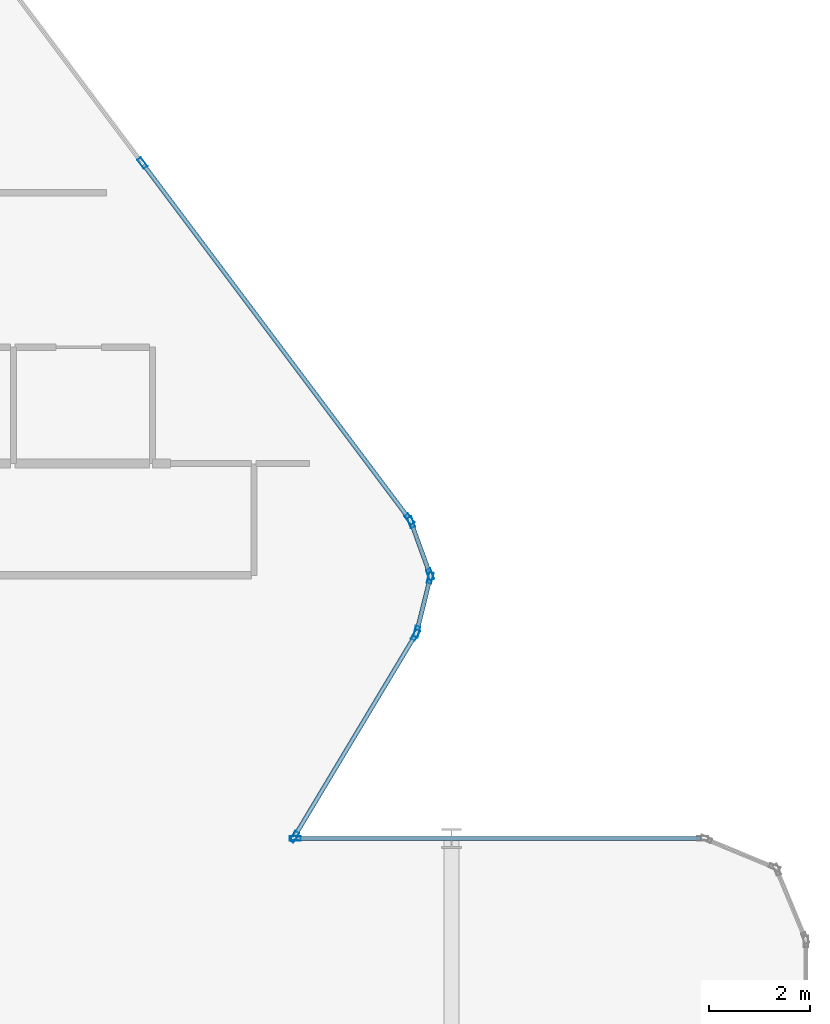
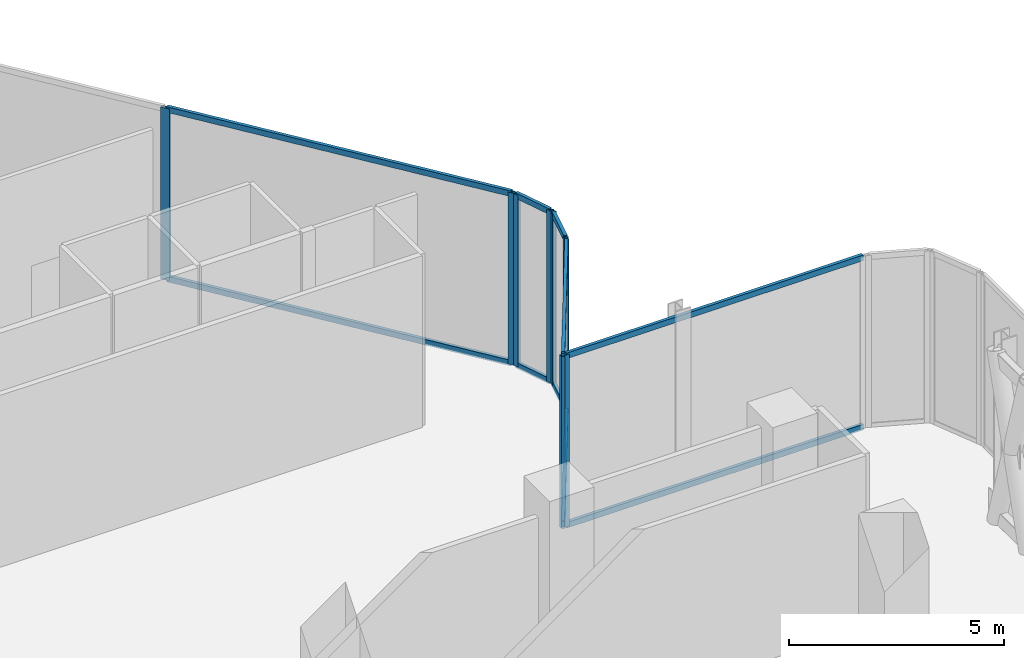
# One storey, part 16 of 36: 19 members, 5 elements without a shape of their own.
"""IFC4 building model written with IfcOpenShell, lengths in metres."""

from ifc_helpers import new_model, si_unit, direction, frame, origin, origin_2d, place, context, subcontext, project, spatial, hollow_rectangle, extrude, material, layer, layer_set, material_profile, profile_set, type_object, element, aggregate, save


model = new_model("IFC4")

# Units and contexts
model_context = context("Model", 3, precision=1e-05, world=origin(), true_north=direction((0.0, 1.0)))
body_context = subcontext(model_context, "Body", "Model", "MODEL_VIEW")
ifc_project = project(units=[si_unit("LENGTHUNIT", "METRE"), si_unit("AREAUNIT", "SQUARE_METRE"), si_unit("VOLUMEUNIT", "CUBIC_METRE"), si_unit("PLANEANGLEUNIT", "RADIAN"), si_unit("MASSUNIT", "GRAM", prefix="KILO")], contexts=[model_context])

# Site, building, storey
site_placement = place(None, origin())
site = spatial("IfcSite", under=ifc_project, at=site_placement, CompositionType="ELEMENT")
building_placement = place(site_placement, origin())
building = spatial("IfcBuilding", under=site, at=building_placement, Name="Keshet Zoharim Tower", CompositionType="ELEMENT")
storey_placement = place(building_placement, frame((0.0, 0.0, 81.199951171875)))
storey = spatial("IfcBuildingStorey", under=building, at=storey_placement, Name="L19", CompositionType="ELEMENT", Elevation=81.199951171875)

# Curtain wall, members
ifc_material = material(Name="Aluminium 6063-T6", Category="aluminium")
ifc_layer_1 = layer(ifc_material, 0.169921875)
ifc_layer_set_1 = layer_set([ifc_layer_1], Name="Aluminium 6063-T6")
curtain_wall_type_1 = type_object("IfcCurtainWallType", Name="CW-SYS-02", PredefinedType="NOTDEFINED", material=ifc_layer_set_1)
curtain_wall_1_placement = place(storey_placement, origin())
curtain_wall_1 = element("IfcCurtainWall", 1, at=curtain_wall_1_placement, inside=storey, type_object=curtain_wall_type_1, Name="L19 Unitised Curtain Wall 09", PredefinedType="NOTDEFINED")
ifc_material_profile_1 = material_profile(ifc_material, hollow_rectangle(XDim=0.090087890625, YDim=0.219970703125, WallThickness=0.0048828125, at=origin_2d()), Name="MUL-90x220")
ifc_profile_set_1 = profile_set([ifc_material_profile_1], Name="Aluminium 6063-T6")
member_type_1 = type_object("IfcMemberType", Name="CWM-M22", PredefinedType="MULLION", material=ifc_profile_set_1)
member_1_placement = place(storey_placement, frame((56.896484375, 46.0380859375, 0.0), z_axis=(0.0, 0.0, 1.0), x_axis=(0.799999999998, 0.600000000002, 0.0)))
member_1 = element("IfcMember", 2, at=member_1_placement, type_object=member_type_1, Name="CW-02 mullion 2", PredefinedType="MULLION", context=body_context, shape_type="SweptSolid", body=[
    extrude(hollow_rectangle(XDim=0.090087890625, YDim=0.219970703125, WallThickness=0.0048828125, at=origin_2d()), origin(), (0.0, 0.0, 1.0), 4.885009765625),
])
member_2_placement = place(storey_placement, frame((62.172119140625, 39.00390625, 0.0), z_axis=(0.0, 0.0, 1.0), x_axis=(0.799999999998, 0.600000000002, 0.0)))
member_2 = element("IfcMember", 3, at=member_2_placement, type_object=member_type_1, Name="CW-02 mullion 3", PredefinedType="MULLION", context=body_context, shape_type="SweptSolid", body=[
    extrude(hollow_rectangle(XDim=0.090087890625, YDim=0.219970703125, WallThickness=0.0048828125, at=origin_2d()), origin(), (0.0, 0.0, 1.0), 4.885009765625),
])

curtain_wall_2_placement = place(storey_placement, origin())
curtain_wall_2 = element("IfcCurtainWall", 4, at=curtain_wall_2_placement, inside=storey, type_object=curtain_wall_type_1, Name="L19 Unitised Curtain Wall 10", PredefinedType="NOTDEFINED")
member_3_placement = place(storey_placement, frame((62.204833984375, 38.943115234375, 0.0), z_axis=(0.0, 0.0, 1.0), x_axis=(0.940317877544, 0.340297354046, 0.0)))
member_3 = element("IfcMember", 5, at=member_3_placement, type_object=member_type_1, Name="CW-02 mullion 1", PredefinedType="MULLION", context=body_context, shape_type="SweptSolid", body=[
    extrude(hollow_rectangle(XDim=0.090087890625, YDim=0.219970703125, WallThickness=0.0048828125, at=origin_2d()), origin(), (0.0, 0.0, 1.0), 4.885009765625),
])
member_4_placement = place(storey_placement, frame((62.578125, 37.911865234375, 0.0), z_axis=(0.0, 0.0, 1.0), x_axis=(0.940317877544, 0.340297354046, 0.0)))
member_4 = element("IfcMember", 6, at=member_4_placement, type_object=member_type_1, Name="CW-02 mullion 2", PredefinedType="MULLION", context=body_context, shape_type="SweptSolid", body=[
    extrude(hollow_rectangle(XDim=0.090087890625, YDim=0.219970703125, WallThickness=0.0048828125, at=origin_2d()), origin(), (0.0, 0.0, 1.0), 4.885009765625),
])

curtain_wall_3_placement = place(storey_placement, origin())
curtain_wall_3 = element("IfcCurtainWall", 7, at=curtain_wall_3_placement, inside=storey, type_object=curtain_wall_type_1, Name="L19 Unitised Curtain Wall 11", PredefinedType="NOTDEFINED")
member_5_placement = place(storey_placement, frame((62.58154296875, 37.844970703125, 0.0), z_axis=(0.0, 0.0, 1.0), x_axis=(0.970343857447, -0.241728770141, 0.0)))
member_5 = element("IfcMember", 8, at=member_5_placement, type_object=member_type_1, Name="CW-02 mullion 1", PredefinedType="MULLION", context=body_context, shape_type="SweptSolid", body=[
    extrude(hollow_rectangle(XDim=0.090087890625, YDim=0.219970703125, WallThickness=0.0048828125, at=origin_2d()), origin(), (0.0, 0.0, 1.0), 4.885009765625),
])
member_6_placement = place(storey_placement, frame((62.31640625, 36.781005859375, 0.0), z_axis=(0.0, 0.0, 1.0), x_axis=(0.970343857447, -0.241728770141, 0.0)))
member_6 = element("IfcMember", 9, at=member_6_placement, type_object=member_type_1, Name="CW-02 mullion 2", PredefinedType="MULLION", context=body_context, shape_type="SweptSolid", body=[
    extrude(hollow_rectangle(XDim=0.090087890625, YDim=0.219970703125, WallThickness=0.0048828125, at=origin_2d()), origin(), (0.0, 0.0, 1.0), 4.885009765625),
])

ifc_layer_2 = layer(ifc_material, 0.179931640625)
ifc_layer_set_2 = layer_set([ifc_layer_2], Name="Aluminium 6063-T6")
curtain_wall_type_2 = type_object("IfcCurtainWallType", Name="CW-SYS-01", PredefinedType="NOTDEFINED", material=ifc_layer_set_2)
curtain_wall_4_placement = place(storey_placement, origin())
curtain_wall_4 = element("IfcCurtainWall", 10, at=curtain_wall_4_placement, inside=storey, type_object=curtain_wall_type_2, Name="L19 Unitised Curtain Wall 12", PredefinedType="NOTDEFINED")
member_7_placement = place(storey_placement, frame((62.2900390625, 36.717041015625, 0.0), z_axis=(0.0, 0.0, 1.0), x_axis=(0.857511621163, -0.51446459506, 0.0)))
member_7 = element("IfcMember", 11, at=member_7_placement, type_object=member_type_1, Name="CW-01 mullion 1", PredefinedType="MULLION", context=body_context, shape_type="SweptSolid", body=[
    extrude(hollow_rectangle(XDim=0.090087890625, YDim=0.219970703125, WallThickness=0.0048828125, at=origin_2d()), origin(), (0.0, 0.0, 1.0), 4.885009765625),
])
member_8_placement = place(storey_placement, frame((59.89794921875, 32.72998046875, 0.0), z_axis=(0.0, 0.0, 1.0), x_axis=(0.857511621163, -0.51446459506, 0.0)))
member_8 = element("IfcMember", 12, at=member_8_placement, type_object=member_type_1, Name="CW-01 mullion 2", PredefinedType="MULLION", context=body_context, shape_type="SweptSolid", body=[
    extrude(hollow_rectangle(XDim=0.090087890625, YDim=0.219970703125, WallThickness=0.0048828125, at=origin_2d()), origin(), (0.0, 0.0, 1.0), 4.885009765625),
])

# Curtain wall, member
curtain_wall_5_placement = place(storey_placement, origin())
curtain_wall_5 = element("IfcCurtainWall", 13, at=curtain_wall_5_placement, inside=storey, type_object=curtain_wall_type_1, Name="L19 Unitised Curtain Wall 13", PredefinedType="NOTDEFINED")
member_9_placement = place(storey_placement, frame((59.9150390625, 32.699951171875, 0.0), z_axis=(0.0, 0.0, 1.0), x_axis=(0.0, 1.0, 0.0)))
member_9 = element("IfcMember", 14, at=member_9_placement, type_object=member_type_1, Name="CW-02 mullion 1", PredefinedType="MULLION", context=body_context, shape_type="SweptSolid", body=[
    extrude(hollow_rectangle(XDim=0.090087890625, YDim=0.219970703125, WallThickness=0.0048828125, at=origin_2d()), origin(), (0.0, 0.0, 1.0), 4.885009765625),
])

# Member
ifc_material_profile_2 = material_profile(ifc_material, hollow_rectangle(XDim=0.0849609375, YDim=0.159912109375, WallThickness=0.00439453125, at=origin_2d()), Name="TRN-85x160")
ifc_profile_set_2 = profile_set([ifc_material_profile_2], Name="Aluminium 6063-T6")
member_type_2 = type_object("IfcMemberType", Name="CWT-T16", PredefinedType="USERDEFINED", material=ifc_profile_set_2)
member_10_placement = place(storey_placement, frame((56.91748046875, 46.010009765625, 0.03515625), z_axis=(0.599991043201, -0.800006717521, 0.0), x_axis=(0.800006717521, 0.599991043201, 0.0)))
member_10 = element("IfcMember", 15, at=member_10_placement, type_object=member_type_2, Name="CW-02 transom 2.1", ObjectType="TRANSOM", PredefinedType="USERDEFINED", context=body_context, shape_type="SweptSolid", body=[
    extrude(hollow_rectangle(XDim=0.0849609375, YDim=0.159912109375, WallThickness=0.00439453125, at=origin_2d()), origin(), (0.0, 0.0, 1.0), 8.722412109375),
])

member_11_placement = place(storey_placement, frame((56.91748046875, 46.010009765625, 4.85009765625), z_axis=(0.599991043201, -0.800006717521, 0.0), x_axis=(0.800006717521, 0.599991043201, 0.0)))
member_11 = element("IfcMember", 16, at=member_11_placement, type_object=member_type_2, Name="CW-02 transom 2.2", ObjectType="TRANSOM", PredefinedType="USERDEFINED", context=body_context, shape_type="SweptSolid", body=[
    extrude(hollow_rectangle(XDim=0.0849609375, YDim=0.159912109375, WallThickness=0.00439453125, at=origin_2d()), origin(), (0.0, 0.0, 1.0), 8.722412109375),
])

aggregate(curtain_wall_1, [member_1, member_2, member_10, member_11])

member_12_placement = place(storey_placement, frame((62.216796875, 38.91015625, 0.03515625), z_axis=(0.340310579984, -0.940313091024, 0.0), x_axis=(0.940313091024, 0.340310579984, 0.0)))
member_12 = element("IfcMember", 17, at=member_12_placement, type_object=member_type_2, Name="CW-02 transom 1.1", ObjectType="TRANSOM", PredefinedType="USERDEFINED", context=body_context, shape_type="SweptSolid", body=[
    extrude(hollow_rectangle(XDim=0.0849609375, YDim=0.159912109375, WallThickness=0.00439453125, at=origin_2d()), origin(), (0.0, 0.0, 1.0), 1.026611328125),
])

member_13_placement = place(storey_placement, frame((62.216796875, 38.91015625, 4.85009765625), z_axis=(0.340310579984, -0.940313091024, 0.0), x_axis=(0.940313091024, 0.340310579984, 0.0)))
member_13 = element("IfcMember", 18, at=member_13_placement, type_object=member_type_2, Name="CW-02 transom 1.2", ObjectType="TRANSOM", PredefinedType="USERDEFINED", context=body_context, shape_type="SweptSolid", body=[
    extrude(hollow_rectangle(XDim=0.0849609375, YDim=0.159912109375, WallThickness=0.00439453125, at=origin_2d()), origin(), (0.0, 0.0, 1.0), 1.026611328125),
])

aggregate(curtain_wall_2, [member_3, member_4, member_12, member_13])

member_14_placement = place(storey_placement, frame((62.572998046875, 37.81103515625, 0.03515625), z_axis=(-0.241640143717, -0.970365931463, 0.0), x_axis=(0.970365931463, -0.241640143717, 0.0)))
member_14 = element("IfcMember", 19, at=member_14_placement, type_object=member_type_2, Name="CW-02 transom 1.1", ObjectType="TRANSOM", PredefinedType="USERDEFINED", context=body_context, shape_type="SweptSolid", body=[
    extrude(hollow_rectangle(XDim=0.0849609375, YDim=0.159912109375, WallThickness=0.00439453125, at=origin_2d()), origin(), (0.0, 0.0, 1.0), 1.026611328125),
])

member_15_placement = place(storey_placement, frame((62.572998046875, 37.81103515625, 4.85009765625), z_axis=(-0.241640143717, -0.970365931463, 0.0), x_axis=(0.970365931463, -0.241640143717, 0.0)))
member_15 = element("IfcMember", 20, at=member_15_placement, type_object=member_type_2, Name="CW-02 transom 1.2", ObjectType="TRANSOM", PredefinedType="USERDEFINED", context=body_context, shape_type="SweptSolid", body=[
    extrude(hollow_rectangle(XDim=0.0849609375, YDim=0.159912109375, WallThickness=0.00439453125, at=origin_2d()), origin(), (0.0, 0.0, 1.0), 1.026611328125),
])

aggregate(curtain_wall_3, [member_5, member_6, member_14, member_15])

member_16_placement = place(storey_placement, frame((62.27197265625, 36.68701171875, 0.03515625), z_axis=(-0.514456555213, -0.857516444622, 0.0), x_axis=(0.857516444622, -0.514456555213, 0.0)))
member_16 = element("IfcMember", 21, at=member_16_placement, type_object=member_type_2, Name="CW-01 transom 1.1", ObjectType="TRANSOM", PredefinedType="USERDEFINED", context=body_context, shape_type="SweptSolid", body=[
    extrude(hollow_rectangle(XDim=0.0849609375, YDim=0.159912109375, WallThickness=0.00439453125, at=origin_2d()), origin(), (0.0, 0.0, 1.0), 4.57958984375),
])

member_17_placement = place(storey_placement, frame((62.27197265625, 36.68701171875, 4.85009765625), z_axis=(-0.514456555213, -0.857516444622, 0.0), x_axis=(0.857516444622, -0.514456555213, 0.0)))
member_17 = element("IfcMember", 22, at=member_17_placement, type_object=member_type_2, Name="CW-01 transom 1.2", ObjectType="TRANSOM", PredefinedType="USERDEFINED", context=body_context, shape_type="SweptSolid", body=[
    extrude(hollow_rectangle(XDim=0.0849609375, YDim=0.159912109375, WallThickness=0.00439453125, at=origin_2d()), origin(), (0.0, 0.0, 1.0), 4.57958984375),
])

aggregate(curtain_wall_4, [member_7, member_8, member_16, member_17])

member_18_placement = place(storey_placement, frame((59.949951171875, 32.699951171875, 0.03515625), z_axis=(1.0, 0.0, 0.0), x_axis=(0.0, 1.0, 0.0)))
member_18 = element("IfcMember", 23, at=member_18_placement, type_object=member_type_2, Name="CW-02 transom 1.1", ObjectType="TRANSOM", PredefinedType="USERDEFINED", context=body_context, shape_type="SweptSolid", body=[
    extrude(hollow_rectangle(XDim=0.0849609375, YDim=0.159912109375, WallThickness=0.00439453125, at=origin_2d()), origin(), (0.0, 0.0, 1.0), 7.97998046875),
])

member_19_placement = place(storey_placement, frame((59.949951171875, 32.699951171875, 4.85009765625), z_axis=(1.0, 0.0, 0.0), x_axis=(0.0, 1.0, 0.0)))
member_19 = element("IfcMember", 24, at=member_19_placement, type_object=member_type_2, Name="CW-02 transom 1.2", ObjectType="TRANSOM", PredefinedType="USERDEFINED", context=body_context, shape_type="SweptSolid", body=[
    extrude(hollow_rectangle(XDim=0.0849609375, YDim=0.159912109375, WallThickness=0.00439453125, at=origin_2d()), origin(), (0.0, 0.0, 1.0), 7.97998046875),
])

aggregate(curtain_wall_5, [member_9, member_18, member_19])

save(model, "model.ifc")
